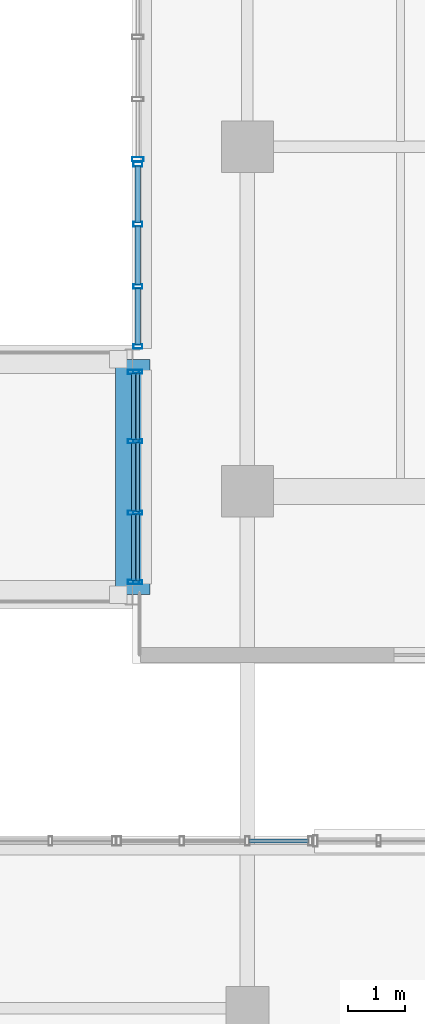
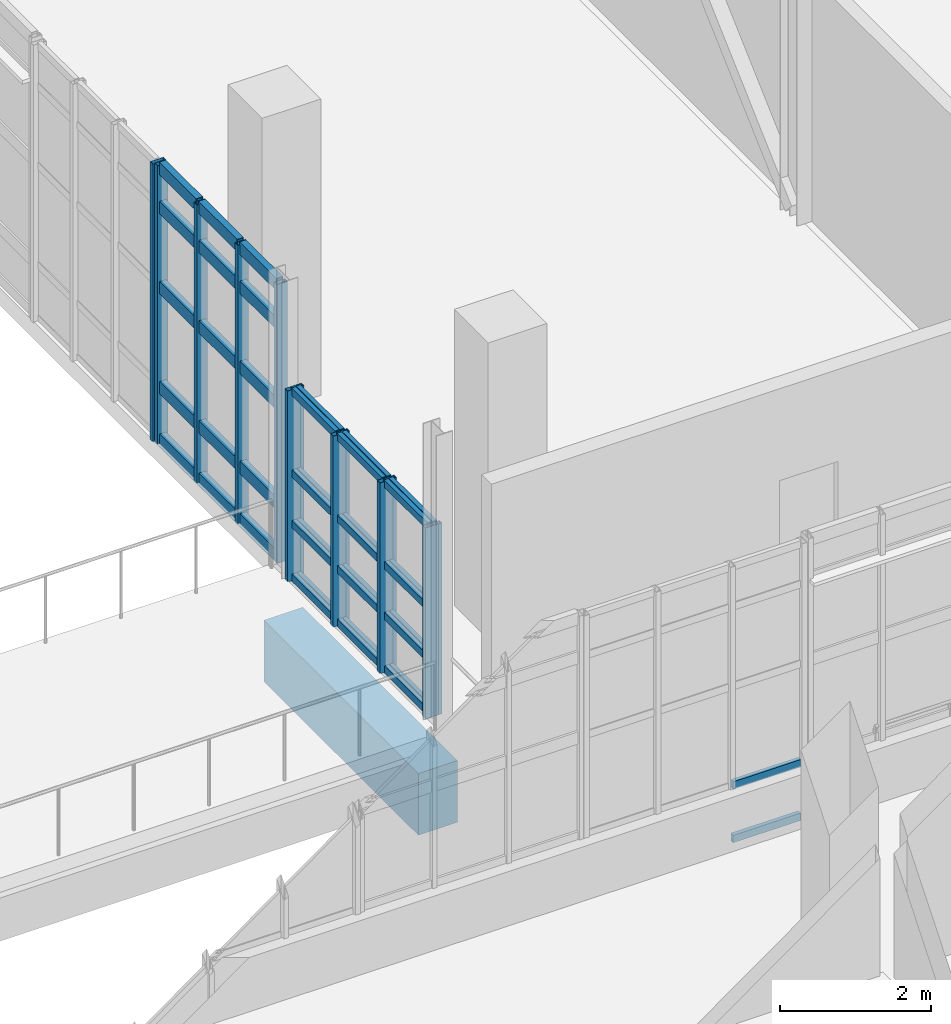
# One storey, part 33 of 127: 54 members, 1 beam, 5 elements without a shape of their own.
"""IFC4 building model written with IfcOpenShell, lengths in metres."""

from ifc_helpers import new_model, si_unit, derived_unit, direction, frame, origin, origin_2d, place, context, subcontext, project, spatial, rectangle, hollow_rectangle, extrude, material, layer, layer_set, material_profile, profile_set, type_object, element, aggregate, save


model = new_model("IFC4")

# Units and contexts
model_context = context("Model", 3, precision=1e-05, world=origin(), true_north=direction((0.0, 1.0)))
body_context = subcontext(model_context, "Body", "Model", "MODEL_VIEW")
ifc_project = project(units=[si_unit("LENGTHUNIT", "METRE"), si_unit("AREAUNIT", "SQUARE_METRE"), si_unit("VOLUMEUNIT", "CUBIC_METRE"), si_unit("PLANEANGLEUNIT", "RADIAN"), si_unit("MASSUNIT", "GRAM", prefix="KILO"), derived_unit("THERMALTRANSMITTANCEUNIT", [(si_unit("POWERUNIT", "WATT"), 1), (si_unit("LENGTHUNIT", "METRE"), -2), (si_unit("THERMODYNAMICTEMPERATUREUNIT", "KELVIN"), -1)])], contexts=[model_context])

# Site, building, storey
site_placement = place(None, origin())
site = spatial("IfcSite", under=ifc_project, at=site_placement, CompositionType="ELEMENT")
building_placement = place(site_placement, origin())
building = spatial("IfcBuilding", under=site, at=building_placement, Name="Nallur Shell Playhouse", CompositionType="ELEMENT")
storey_placement = place(building_placement, frame((0.0, 0.0, 5.39990234375)))
storey = spatial("IfcBuildingStorey", under=building, at=storey_placement, Name="L02", CompositionType="ELEMENT", Elevation=5.39990234375)

# Beam
ifc_material_1 = material(Name="Concrete M40", Category="concrete")
ifc_material_profile_1 = material_profile(ifc_material_1, rectangle(XDim=0.60009765625, YDim=1.0, at=origin_2d()), Name="RC 600x1000")
ifc_profile_set_1 = profile_set([ifc_material_profile_1], Name="Concrete M40")
beam_type = type_object("IfcBeamType", Name="BM-RC-600x1000", PredefinedType="BEAM", material=ifc_profile_set_1)
beam_placement = place(storey_placement, frame((54.0, 48.199951171875, -1.2099609375), z_axis=(0.0, 1.0, 0.0), x_axis=(-1.0, 0.0, 0.0)))
element("IfcBeam", 1, at=beam_placement, inside=storey, type_object=beam_type, Name="Courtyard bridge 600mm seismic bearing seat corbel 01", PredefinedType="BEAM", context=body_context, shape_type="SweptSolid", body=[
    extrude(rectangle(XDim=0.60009765625, YDim=1.0, at=origin_2d()), origin(), (0.0, 0.0, 1.0), 4.10009765625),
])

# Curtain wall, members
ifc_material_2 = material(Name="Anodised Aluminium Double-Glazed Facade System", Category="aluminium")
ifc_layer_1 = layer(ifc_material_2, 0.16796875)
ifc_layer_set_1 = layer_set([ifc_layer_1], Name="Anodised Aluminium Double-Glazed Facade System")
curtain_wall_type_1 = type_object("IfcCurtainWallType", Name="CW-UNIT-14", PredefinedType="NOTDEFINED", material=ifc_layer_set_1)
curtain_wall_1_placement = place(storey_placement, origin())
curtain_wall_1 = element("IfcCurtainWall", 2, at=curtain_wall_1_placement, inside=storey, type_object=curtain_wall_type_1, Name="Unitised curtain wall CW-014 (L02)", PredefinedType="NOTDEFINED")
ifc_material_3 = material(Name="Aluminium Alloy 6063-T6 Mullion", Category="aluminium")
ifc_material_profile_2 = material_profile(ifc_material_3, hollow_rectangle(XDim=0.080078125, YDim=0.159912109375, WallThickness=0.006103515625, at=origin_2d()), Name="RHS 160x80x6")
ifc_profile_set_2 = profile_set([ifc_material_profile_2], Name="Aluminium Alloy 6063-T6 Mullion")
member_type_1 = type_object("IfcMemberType", Name="MB-CW-MUL150", PredefinedType="MULLION", material=ifc_profile_set_2)
member_1_placement = place(storey_placement, frame((54.090087890625, 52.52294921875, -0.014892578125), z_axis=(0.0, 0.0, 1.0), x_axis=(0.0, 1.0, 0.0)))
member_1 = element("IfcMember", 3, at=member_1_placement, type_object=member_type_1, Name="CW-14 mullion 1", PredefinedType="MULLION", context=body_context, shape_type="SweptSolid", body=[
    extrude(hollow_rectangle(XDim=0.080078125, YDim=0.159912109375, WallThickness=0.006103515625, at=origin_2d()), origin(), (0.0, 0.0, 1.0), 4.51904296875),
])
member_2_placement = place(storey_placement, frame((54.090087890625, 53.5673828125, -0.014892578125), z_axis=(0.0, 0.0, 1.0), x_axis=(0.0, 1.0, 0.0)))
member_2 = element("IfcMember", 4, at=member_2_placement, type_object=member_type_1, Name="CW-14 mullion 2", PredefinedType="MULLION", context=body_context, shape_type="SweptSolid", body=[
    extrude(hollow_rectangle(XDim=0.080078125, YDim=0.159912109375, WallThickness=0.006103515625, at=origin_2d()), origin(), (0.0, 0.0, 1.0), 4.51904296875),
])
member_3_placement = place(storey_placement, frame((54.090087890625, 54.652099609375, -0.014892578125), z_axis=(0.0, 0.0, 1.0), x_axis=(0.0, 1.0, 0.0)))
member_3 = element("IfcMember", 5, at=member_3_placement, type_object=member_type_1, Name="CW-14 mullion 3", PredefinedType="MULLION", context=body_context, shape_type="SweptSolid", body=[
    extrude(hollow_rectangle(XDim=0.080078125, YDim=0.159912109375, WallThickness=0.006103515625, at=origin_2d()), origin(), (0.0, 0.0, 1.0), 4.51904296875),
])
member_4_placement = place(storey_placement, frame((54.090087890625, 55.696533203125, -0.014892578125), z_axis=(0.0, 0.0, 1.0), x_axis=(0.0, 1.0, 0.0)))
member_4 = element("IfcMember", 6, at=member_4_placement, type_object=member_type_1, Name="CW-14 mullion 4", PredefinedType="MULLION", context=body_context, shape_type="SweptSolid", body=[
    extrude(hollow_rectangle(XDim=0.080078125, YDim=0.159912109375, WallThickness=0.006103515625, at=origin_2d()), origin(), (0.0, 0.0, 1.0), 4.51904296875),
])

ifc_layer_2 = layer(ifc_material_2, 0.1640625)
ifc_layer_set_2 = layer_set([ifc_layer_2], Name="Anodised Aluminium Double-Glazed Facade System")
curtain_wall_type_2 = type_object("IfcCurtainWallType", Name="CW-UNIT-13", PredefinedType="NOTDEFINED", material=ifc_layer_set_2)
curtain_wall_2_placement = place(storey_placement, origin())
curtain_wall_2 = element("IfcCurtainWall", 7, at=curtain_wall_2_placement, inside=storey, type_object=curtain_wall_type_2, Name="Unitised curtain wall CW-013 (L02)", PredefinedType="NOTDEFINED")
ifc_material_profile_3 = material_profile(ifc_material_3, hollow_rectangle(XDim=0.06494140625, YDim=0.159912109375, WallThickness=0.00390625, at=origin_2d()), Name="ALU 65x160x4")
ifc_profile_set_3 = profile_set([ifc_material_profile_3], Name="Aluminium Alloy 6063-T6 Mullion")
member_type_2 = type_object("IfcMemberType", Name="MB-CW-MUL160", PredefinedType="MULLION", material=ifc_profile_set_3)
member_5_placement = place(storey_placement, frame((54.090087890625, 48.41552734375, -0.014892578125), z_axis=(0.0, 0.0, 1.0), x_axis=(0.0, 1.0, 0.0)))
member_5 = element("IfcMember", 8, at=member_5_placement, type_object=member_type_2, Name="CW-13 mullion 1", PredefinedType="MULLION", context=body_context, shape_type="SweptSolid", body=[
    extrude(hollow_rectangle(XDim=0.06494140625, YDim=0.159912109375, WallThickness=0.00390625, at=origin_2d()), origin(), (0.0, 0.0, 1.0), 3.093994140625),
])
member_6_placement = place(storey_placement, frame((54.090087890625, 49.627685546875, -0.014892578125), z_axis=(0.0, 0.0, 1.0), x_axis=(0.0, 1.0, 0.0)))
member_6 = element("IfcMember", 9, at=member_6_placement, type_object=member_type_2, Name="CW-13 mullion 2", PredefinedType="MULLION", context=body_context, shape_type="SweptSolid", body=[
    extrude(hollow_rectangle(XDim=0.06494140625, YDim=0.159912109375, WallThickness=0.00390625, at=origin_2d()), origin(), (0.0, 0.0, 1.0), 3.093994140625),
])
member_7_placement = place(storey_placement, frame((54.090087890625, 50.872314453125, -0.014892578125), z_axis=(0.0, 0.0, 1.0), x_axis=(0.0, 1.0, 0.0)))
member_7 = element("IfcMember", 10, at=member_7_placement, type_object=member_type_2, Name="CW-13 mullion 3", PredefinedType="MULLION", context=body_context, shape_type="SweptSolid", body=[
    extrude(hollow_rectangle(XDim=0.06494140625, YDim=0.159912109375, WallThickness=0.00390625, at=origin_2d()), origin(), (0.0, 0.0, 1.0), 3.093994140625),
])
member_8_placement = place(storey_placement, frame((54.090087890625, 52.08447265625, -0.014892578125), z_axis=(0.0, 0.0, 1.0), x_axis=(0.0, 1.0, 0.0)))
member_8 = element("IfcMember", 11, at=member_8_placement, type_object=member_type_2, Name="CW-13 mullion 4", PredefinedType="MULLION", context=body_context, shape_type="SweptSolid", body=[
    extrude(hollow_rectangle(XDim=0.06494140625, YDim=0.159912109375, WallThickness=0.00390625, at=origin_2d()), origin(), (0.0, 0.0, 1.0), 3.093994140625),
])

# Curtain wall, member
ifc_layer_3 = layer(ifc_material_2, 0.172119140625)
ifc_layer_set_3 = layer_set([ifc_layer_3], Name="Anodised Aluminium Double-Glazed Facade System")
curtain_wall_type_3 = type_object("IfcCurtainWallType", Name="CW-UNIT-15", PredefinedType="NOTDEFINED", material=ifc_layer_set_3)
curtain_wall_3_placement = place(storey_placement, origin())
curtain_wall_3 = element("IfcCurtainWall", 12, at=curtain_wall_3_placement, inside=storey, type_object=curtain_wall_type_3, Name="Unitised curtain wall CW-015 (L02)", PredefinedType="NOTDEFINED")
ifc_material_profile_4 = material_profile(ifc_material_3, hollow_rectangle(XDim=0.074951171875, YDim=0.199951171875, WallThickness=0.0048828125, at=origin_2d()), Name="ALU 75x200x5")
ifc_profile_set_4 = profile_set([ifc_material_profile_4], Name="Aluminium Alloy 6063-T6 Mullion")
member_type_3 = type_object("IfcMemberType", Name="MB-CW-MUL180", PredefinedType="MULLION", material=ifc_profile_set_4)
member_9_placement = place(storey_placement, frame((54.090087890625, 55.783935546875, -0.014892578125), z_axis=(0.0, 0.0, 1.0), x_axis=(0.0, 1.0, 0.0)))
member_9 = element("IfcMember", 13, at=member_9_placement, type_object=member_type_3, Name="CW-15 mullion 1", PredefinedType="MULLION", context=body_context, shape_type="SweptSolid", body=[
    extrude(hollow_rectangle(XDim=0.074951171875, YDim=0.199951171875, WallThickness=0.0048828125, at=origin_2d()), origin(), (0.0, 0.0, 1.0), 4.4990234375),
])
aggregate(curtain_wall_3, [member_9])

# Curtain wall, members
ifc_layer_4 = layer(ifc_material_2, 0.1640625)
ifc_layer_set_4 = layer_set([ifc_layer_4], Name="Anodised Aluminium Double-Glazed Facade System")
curtain_wall_type_4 = type_object("IfcCurtainWallType", Name="CW-UNIT-25", PredefinedType="NOTDEFINED", material=ifc_layer_set_4)
curtain_wall_4_placement = place(storey_placement, origin())
curtain_wall_4 = element("IfcCurtainWall", 14, at=curtain_wall_4_placement, inside=storey, type_object=curtain_wall_type_4, Name="Unitised curtain wall CW-057 (L02)", PredefinedType="NOTDEFINED")
member_10_placement = place(storey_placement, frame((54.014892578125, 52.07958984375, -0.014892578125), z_axis=(0.0, 0.0, 1.0), x_axis=(0.0, -1.0, 0.0)))
member_10 = element("IfcMember", 15, at=member_10_placement, type_object=member_type_3, Name="CW-25 mullion 1", PredefinedType="MULLION", context=body_context, shape_type="SweptSolid", body=[
    extrude(hollow_rectangle(XDim=0.074951171875, YDim=0.199951171875, WallThickness=0.0048828125, at=origin_2d()), origin(), (0.0, 0.0, 1.0), 3.093994140625),
])
member_11_placement = place(storey_placement, frame((54.014892578125, 50.872314453125, -0.014892578125), z_axis=(0.0, 0.0, 1.0), x_axis=(0.0, -1.0, 0.0)))
member_11 = element("IfcMember", 16, at=member_11_placement, type_object=member_type_3, Name="CW-25 mullion 2", PredefinedType="MULLION", context=body_context, shape_type="SweptSolid", body=[
    extrude(hollow_rectangle(XDim=0.074951171875, YDim=0.199951171875, WallThickness=0.0048828125, at=origin_2d()), origin(), (0.0, 0.0, 1.0), 3.093994140625),
])
member_12_placement = place(storey_placement, frame((54.014892578125, 49.627685546875, -0.014892578125), z_axis=(0.0, 0.0, 1.0), x_axis=(0.0, -1.0, 0.0)))
member_12 = element("IfcMember", 17, at=member_12_placement, type_object=member_type_3, Name="CW-25 mullion 3", PredefinedType="MULLION", context=body_context, shape_type="SweptSolid", body=[
    extrude(hollow_rectangle(XDim=0.074951171875, YDim=0.199951171875, WallThickness=0.0048828125, at=origin_2d()), origin(), (0.0, 0.0, 1.0), 3.093994140625),
])
member_13_placement = place(storey_placement, frame((54.014892578125, 48.42041015625, -0.014892578125), z_axis=(0.0, 0.0, 1.0), x_axis=(0.0, -1.0, 0.0)))
member_13 = element("IfcMember", 18, at=member_13_placement, type_object=member_type_3, Name="CW-25 mullion 4", PredefinedType="MULLION", context=body_context, shape_type="SweptSolid", body=[
    extrude(hollow_rectangle(XDim=0.074951171875, YDim=0.199951171875, WallThickness=0.0048828125, at=origin_2d()), origin(), (0.0, 0.0, 1.0), 3.093994140625),
])

ifc_layer_5 = layer(ifc_material_2, 0.179931640625)
ifc_layer_set_5 = layer_set([ifc_layer_5], Name="Anodised Aluminium Double-Glazed Facade System")
curtain_wall_type_5 = type_object("IfcCurtainWallType", Name="CW-UNIT-11", PredefinedType="NOTDEFINED", material=ifc_layer_set_5)
curtain_wall_5_placement = place(storey_placement, origin())
curtain_wall_5 = element("IfcCurtainWall", 19, at=curtain_wall_5_placement, inside=storey, type_object=curtain_wall_type_5, Name="Unitised curtain wall CW-011 (L02)", PredefinedType="NOTDEFINED")
ifc_material_4 = material(Name="Aluminium Alloy 6063-T6 Transom", Category="aluminium")
ifc_material_profile_5 = material_profile(ifc_material_4, hollow_rectangle(XDim=0.06494140625, YDim=0.1201171875, WallThickness=0.00390625, at=origin_2d()), Name="ALU 65x120x4")
ifc_profile_set_5 = profile_set([ifc_material_profile_5], Name="Aluminium Alloy 6063-T6 Transom")
member_type_4 = type_object("IfcMemberType", Name="MB-CW-TRN120", PredefinedType="USERDEFINED", material=ifc_profile_set_5)
member_14_placement = place(storey_placement, frame((56.0302734375, 43.909912109375, 0.03271484375), z_axis=(1.0, 0.0, 0.0), x_axis=(0.0, 1.0, 0.0)))
member_14 = element("IfcMember", 20, at=member_14_placement, type_object=member_type_4, Name="CW-11 transom 3.1", ObjectType="TRANSOM", PredefinedType="USERDEFINED", context=body_context, shape_type="SweptSolid", body=[
    extrude(hollow_rectangle(XDim=0.06494140625, YDim=0.1201171875, WallThickness=0.00390625, at=origin_2d()), origin(), (0.0, 0.0, 1.0), 1.03564453125),
])
member_15_placement = place(storey_placement, frame((56.0302734375, 43.909912109375, 0.900146484375), z_axis=(1.0, 0.0, 0.0), x_axis=(0.0, 1.0, 0.0)))
member_15 = element("IfcMember", 21, at=member_15_placement, type_object=member_type_4, Name="CW-11 transom 3.2", ObjectType="TRANSOM", PredefinedType="USERDEFINED", context=body_context, shape_type="SweptSolid", body=[
    extrude(hollow_rectangle(XDim=0.06494140625, YDim=0.1201171875, WallThickness=0.00390625, at=origin_2d()), origin(), (0.0, 0.0, 1.0), 1.03564453125),
])
aggregate(curtain_wall_5, [member_14, member_15])

# Member
member_16_placement = place(storey_placement, frame((54.090087890625, 48.43994140625, 0.03271484375), z_axis=(0.0, 1.0, 0.0), x_axis=(-1.0, 0.0, 0.0)))
member_16 = element("IfcMember", 22, at=member_16_placement, type_object=member_type_4, Name="CW-13 transom 1.1", ObjectType="TRANSOM", PredefinedType="USERDEFINED", context=body_context, shape_type="SweptSolid", body=[
    extrude(hollow_rectangle(XDim=0.06494140625, YDim=0.1201171875, WallThickness=0.00390625, at=origin_2d()), origin(), (0.0, 0.0, 1.0), 1.163330078125),
])

member_17_placement = place(storey_placement, frame((54.090087890625, 48.43994140625, 0.900146484375), z_axis=(0.0, 1.0, 0.0), x_axis=(-1.0, 0.0, 0.0)))
member_17 = element("IfcMember", 23, at=member_17_placement, type_object=member_type_4, Name="CW-13 transom 1.2", ObjectType="TRANSOM", PredefinedType="USERDEFINED", context=body_context, shape_type="SweptSolid", body=[
    extrude(hollow_rectangle(XDim=0.06494140625, YDim=0.1201171875, WallThickness=0.00390625, at=origin_2d()), origin(), (0.0, 0.0, 1.0), 1.163330078125),
])

member_18_placement = place(storey_placement, frame((54.090087890625, 48.43994140625, 1.72216796875), z_axis=(0.0, 1.0, 0.0), x_axis=(-1.0, 0.0, 0.0)))
member_18 = element("IfcMember", 24, at=member_18_placement, type_object=member_type_4, Name="CW-13 transom 1.3", ObjectType="TRANSOM", PredefinedType="USERDEFINED", context=body_context, shape_type="SweptSolid", body=[
    extrude(hollow_rectangle(XDim=0.06494140625, YDim=0.1201171875, WallThickness=0.00390625, at=origin_2d()), origin(), (0.0, 0.0, 1.0), 1.163330078125),
])

member_19_placement = place(storey_placement, frame((54.090087890625, 48.43994140625, 3.04248046875), z_axis=(0.0, 1.0, 0.0), x_axis=(-1.0, 0.0, 0.0)))
member_19 = element("IfcMember", 25, at=member_19_placement, type_object=member_type_4, Name="CW-13 transom 1.4", ObjectType="TRANSOM", PredefinedType="USERDEFINED", context=body_context, shape_type="SweptSolid", body=[
    extrude(hollow_rectangle(XDim=0.06494140625, YDim=0.1201171875, WallThickness=0.00390625, at=origin_2d()), origin(), (0.0, 0.0, 1.0), 1.163330078125),
])

member_20_placement = place(storey_placement, frame((54.090087890625, 49.652099609375, 0.03271484375), z_axis=(0.0, 1.0, 0.0), x_axis=(-1.0, 0.0, 0.0)))
member_20 = element("IfcMember", 26, at=member_20_placement, type_object=member_type_4, Name="CW-13 transom 2.1", ObjectType="TRANSOM", PredefinedType="USERDEFINED", context=body_context, shape_type="SweptSolid", body=[
    extrude(hollow_rectangle(XDim=0.06494140625, YDim=0.1201171875, WallThickness=0.00390625, at=origin_2d()), origin(), (0.0, 0.0, 1.0), 1.19580078125),
])

member_21_placement = place(storey_placement, frame((54.090087890625, 49.652099609375, 0.900146484375), z_axis=(0.0, 1.0, 0.0), x_axis=(-1.0, 0.0, 0.0)))
member_21 = element("IfcMember", 27, at=member_21_placement, type_object=member_type_4, Name="CW-13 transom 2.2", ObjectType="TRANSOM", PredefinedType="USERDEFINED", context=body_context, shape_type="SweptSolid", body=[
    extrude(hollow_rectangle(XDim=0.06494140625, YDim=0.1201171875, WallThickness=0.00390625, at=origin_2d()), origin(), (0.0, 0.0, 1.0), 1.19580078125),
])

member_22_placement = place(storey_placement, frame((54.090087890625, 49.652099609375, 1.72216796875), z_axis=(0.0, 1.0, 0.0), x_axis=(-1.0, 0.0, 0.0)))
member_22 = element("IfcMember", 28, at=member_22_placement, type_object=member_type_4, Name="CW-13 transom 2.3", ObjectType="TRANSOM", PredefinedType="USERDEFINED", context=body_context, shape_type="SweptSolid", body=[
    extrude(hollow_rectangle(XDim=0.06494140625, YDim=0.1201171875, WallThickness=0.00390625, at=origin_2d()), origin(), (0.0, 0.0, 1.0), 1.19580078125),
])

member_23_placement = place(storey_placement, frame((54.090087890625, 49.652099609375, 3.04248046875), z_axis=(0.0, 1.0, 0.0), x_axis=(-1.0, 0.0, 0.0)))
member_23 = element("IfcMember", 29, at=member_23_placement, type_object=member_type_4, Name="CW-13 transom 2.4", ObjectType="TRANSOM", PredefinedType="USERDEFINED", context=body_context, shape_type="SweptSolid", body=[
    extrude(hollow_rectangle(XDim=0.06494140625, YDim=0.1201171875, WallThickness=0.00390625, at=origin_2d()), origin(), (0.0, 0.0, 1.0), 1.19580078125),
])

member_24_placement = place(storey_placement, frame((54.090087890625, 50.896728515625, 0.03271484375), z_axis=(0.0, 1.0, 0.0), x_axis=(-1.0, 0.0, 0.0)))
member_24 = element("IfcMember", 30, at=member_24_placement, type_object=member_type_4, Name="CW-13 transom 3.1", ObjectType="TRANSOM", PredefinedType="USERDEFINED", context=body_context, shape_type="SweptSolid", body=[
    extrude(hollow_rectangle(XDim=0.06494140625, YDim=0.1201171875, WallThickness=0.00390625, at=origin_2d()), origin(), (0.0, 0.0, 1.0), 1.163330078125),
])

member_25_placement = place(storey_placement, frame((54.090087890625, 50.896728515625, 0.900146484375), z_axis=(0.0, 1.0, 0.0), x_axis=(-1.0, 0.0, 0.0)))
member_25 = element("IfcMember", 31, at=member_25_placement, type_object=member_type_4, Name="CW-13 transom 3.2", ObjectType="TRANSOM", PredefinedType="USERDEFINED", context=body_context, shape_type="SweptSolid", body=[
    extrude(hollow_rectangle(XDim=0.06494140625, YDim=0.1201171875, WallThickness=0.00390625, at=origin_2d()), origin(), (0.0, 0.0, 1.0), 1.163330078125),
])

member_26_placement = place(storey_placement, frame((54.090087890625, 50.896728515625, 1.72216796875), z_axis=(0.0, 1.0, 0.0), x_axis=(-1.0, 0.0, 0.0)))
member_26 = element("IfcMember", 32, at=member_26_placement, type_object=member_type_4, Name="CW-13 transom 3.3", ObjectType="TRANSOM", PredefinedType="USERDEFINED", context=body_context, shape_type="SweptSolid", body=[
    extrude(hollow_rectangle(XDim=0.06494140625, YDim=0.1201171875, WallThickness=0.00390625, at=origin_2d()), origin(), (0.0, 0.0, 1.0), 1.163330078125),
])

member_27_placement = place(storey_placement, frame((54.090087890625, 50.896728515625, 3.04248046875), z_axis=(0.0, 1.0, 0.0), x_axis=(-1.0, 0.0, 0.0)))
member_27 = element("IfcMember", 33, at=member_27_placement, type_object=member_type_4, Name="CW-13 transom 3.4", ObjectType="TRANSOM", PredefinedType="USERDEFINED", context=body_context, shape_type="SweptSolid", body=[
    extrude(hollow_rectangle(XDim=0.06494140625, YDim=0.1201171875, WallThickness=0.00390625, at=origin_2d()), origin(), (0.0, 0.0, 1.0), 1.163330078125),
])

aggregate(curtain_wall_2, [member_5, member_6, member_7, member_8, member_16, member_17, member_18, member_19, member_20, member_21, member_22, member_23, member_24, member_25, member_26, member_27])

member_28_placement = place(storey_placement, frame((54.014892578125, 52.050048828125, 0.03271484375), z_axis=(0.0, -1.0, 0.0), x_axis=(1.0, 0.0, 0.0)))
member_28 = element("IfcMember", 34, at=member_28_placement, type_object=member_type_4, Name="CW-25 transom 1.1", ObjectType="TRANSOM", PredefinedType="USERDEFINED", context=body_context, shape_type="SweptSolid", body=[
    extrude(hollow_rectangle(XDim=0.06494140625, YDim=0.1201171875, WallThickness=0.00390625, at=origin_2d()), origin(), (0.0, 0.0, 1.0), 1.148193359375),
])

member_29_placement = place(storey_placement, frame((54.014892578125, 52.050048828125, 0.900146484375), z_axis=(0.0, -1.0, 0.0), x_axis=(1.0, 0.0, 0.0)))
member_29 = element("IfcMember", 35, at=member_29_placement, type_object=member_type_4, Name="CW-25 transom 1.2", ObjectType="TRANSOM", PredefinedType="USERDEFINED", context=body_context, shape_type="SweptSolid", body=[
    extrude(hollow_rectangle(XDim=0.06494140625, YDim=0.1201171875, WallThickness=0.00390625, at=origin_2d()), origin(), (0.0, 0.0, 1.0), 1.148193359375),
])

member_30_placement = place(storey_placement, frame((54.014892578125, 52.050048828125, 1.72216796875), z_axis=(0.0, -1.0, 0.0), x_axis=(1.0, 0.0, 0.0)))
member_30 = element("IfcMember", 36, at=member_30_placement, type_object=member_type_4, Name="CW-25 transom 1.3", ObjectType="TRANSOM", PredefinedType="USERDEFINED", context=body_context, shape_type="SweptSolid", body=[
    extrude(hollow_rectangle(XDim=0.06494140625, YDim=0.1201171875, WallThickness=0.00390625, at=origin_2d()), origin(), (0.0, 0.0, 1.0), 1.148193359375),
])

member_31_placement = place(storey_placement, frame((54.014892578125, 52.050048828125, 3.04248046875), z_axis=(0.0, -1.0, 0.0), x_axis=(1.0, 0.0, 0.0)))
member_31 = element("IfcMember", 37, at=member_31_placement, type_object=member_type_4, Name="CW-25 transom 1.4", ObjectType="TRANSOM", PredefinedType="USERDEFINED", context=body_context, shape_type="SweptSolid", body=[
    extrude(hollow_rectangle(XDim=0.06494140625, YDim=0.1201171875, WallThickness=0.00390625, at=origin_2d()), origin(), (0.0, 0.0, 1.0), 1.148193359375),
])

member_32_placement = place(storey_placement, frame((54.014892578125, 50.8427734375, 0.03271484375), z_axis=(0.0, -1.0, 0.0), x_axis=(1.0, 0.0, 0.0)))
member_32 = element("IfcMember", 38, at=member_32_placement, type_object=member_type_4, Name="CW-25 transom 2.1", ObjectType="TRANSOM", PredefinedType="USERDEFINED", context=body_context, shape_type="SweptSolid", body=[
    extrude(hollow_rectangle(XDim=0.06494140625, YDim=0.1201171875, WallThickness=0.00390625, at=origin_2d()), origin(), (0.0, 0.0, 1.0), 1.185546875),
])

member_33_placement = place(storey_placement, frame((54.014892578125, 50.8427734375, 0.900146484375), z_axis=(0.0, -1.0, 0.0), x_axis=(1.0, 0.0, 0.0)))
member_33 = element("IfcMember", 39, at=member_33_placement, type_object=member_type_4, Name="CW-25 transom 2.2", ObjectType="TRANSOM", PredefinedType="USERDEFINED", context=body_context, shape_type="SweptSolid", body=[
    extrude(hollow_rectangle(XDim=0.06494140625, YDim=0.1201171875, WallThickness=0.00390625, at=origin_2d()), origin(), (0.0, 0.0, 1.0), 1.185546875),
])

member_34_placement = place(storey_placement, frame((54.014892578125, 50.8427734375, 1.72216796875), z_axis=(0.0, -1.0, 0.0), x_axis=(1.0, 0.0, 0.0)))
member_34 = element("IfcMember", 40, at=member_34_placement, type_object=member_type_4, Name="CW-25 transom 2.3", ObjectType="TRANSOM", PredefinedType="USERDEFINED", context=body_context, shape_type="SweptSolid", body=[
    extrude(hollow_rectangle(XDim=0.06494140625, YDim=0.1201171875, WallThickness=0.00390625, at=origin_2d()), origin(), (0.0, 0.0, 1.0), 1.185546875),
])

member_35_placement = place(storey_placement, frame((54.014892578125, 50.8427734375, 3.04248046875), z_axis=(0.0, -1.0, 0.0), x_axis=(1.0, 0.0, 0.0)))
member_35 = element("IfcMember", 41, at=member_35_placement, type_object=member_type_4, Name="CW-25 transom 2.4", ObjectType="TRANSOM", PredefinedType="USERDEFINED", context=body_context, shape_type="SweptSolid", body=[
    extrude(hollow_rectangle(XDim=0.06494140625, YDim=0.1201171875, WallThickness=0.00390625, at=origin_2d()), origin(), (0.0, 0.0, 1.0), 1.185546875),
])

member_36_placement = place(storey_placement, frame((54.014892578125, 49.59814453125, 0.03271484375), z_axis=(0.0, -1.0, 0.0), x_axis=(1.0, 0.0, 0.0)))
member_36 = element("IfcMember", 42, at=member_36_placement, type_object=member_type_4, Name="CW-25 transom 3.1", ObjectType="TRANSOM", PredefinedType="USERDEFINED", context=body_context, shape_type="SweptSolid", body=[
    extrude(hollow_rectangle(XDim=0.06494140625, YDim=0.1201171875, WallThickness=0.00390625, at=origin_2d()), origin(), (0.0, 0.0, 1.0), 1.148193359375),
])

member_37_placement = place(storey_placement, frame((54.014892578125, 49.59814453125, 0.900146484375), z_axis=(0.0, -1.0, 0.0), x_axis=(1.0, 0.0, 0.0)))
member_37 = element("IfcMember", 43, at=member_37_placement, type_object=member_type_4, Name="CW-25 transom 3.2", ObjectType="TRANSOM", PredefinedType="USERDEFINED", context=body_context, shape_type="SweptSolid", body=[
    extrude(hollow_rectangle(XDim=0.06494140625, YDim=0.1201171875, WallThickness=0.00390625, at=origin_2d()), origin(), (0.0, 0.0, 1.0), 1.148193359375),
])

member_38_placement = place(storey_placement, frame((54.014892578125, 49.59814453125, 1.72216796875), z_axis=(0.0, -1.0, 0.0), x_axis=(1.0, 0.0, 0.0)))
member_38 = element("IfcMember", 44, at=member_38_placement, type_object=member_type_4, Name="CW-25 transom 3.3", ObjectType="TRANSOM", PredefinedType="USERDEFINED", context=body_context, shape_type="SweptSolid", body=[
    extrude(hollow_rectangle(XDim=0.06494140625, YDim=0.1201171875, WallThickness=0.00390625, at=origin_2d()), origin(), (0.0, 0.0, 1.0), 1.148193359375),
])

member_39_placement = place(storey_placement, frame((54.014892578125, 49.59814453125, 3.04248046875), z_axis=(0.0, -1.0, 0.0), x_axis=(1.0, 0.0, 0.0)))
member_39 = element("IfcMember", 45, at=member_39_placement, type_object=member_type_4, Name="CW-25 transom 3.4", ObjectType="TRANSOM", PredefinedType="USERDEFINED", context=body_context, shape_type="SweptSolid", body=[
    extrude(hollow_rectangle(XDim=0.06494140625, YDim=0.1201171875, WallThickness=0.00390625, at=origin_2d()), origin(), (0.0, 0.0, 1.0), 1.148193359375),
])

aggregate(curtain_wall_4, [member_10, member_11, member_12, member_13, member_28, member_29, member_30, member_31, member_32, member_33, member_34, member_35, member_36, member_37, member_38, member_39])

ifc_material_profile_6 = material_profile(ifc_material_4, hollow_rectangle(XDim=0.10009765625, YDim=0.199951171875, WallThickness=0.008056640625, at=origin_2d()), Name="RHS 200x100x8")
ifc_profile_set_6 = profile_set([ifc_material_profile_6], Name="Aluminium Alloy 6063-T6 Transom")
member_type_5 = type_object("IfcMemberType", Name="MB-CW-TRN140", PredefinedType="USERDEFINED", material=ifc_profile_set_6)
member_40_placement = place(storey_placement, frame((54.090087890625, 52.554931640625, 0.050048828125), z_axis=(0.0, 1.0, 0.0), x_axis=(-1.0, 0.0, 0.0)))
member_40 = element("IfcMember", 46, at=member_40_placement, type_object=member_type_5, Name="CW-14 transom 1.1", ObjectType="TRANSOM", PredefinedType="USERDEFINED", context=body_context, shape_type="SweptSolid", body=[
    extrude(hollow_rectangle(XDim=0.10009765625, YDim=0.199951171875, WallThickness=0.008056640625, at=origin_2d()), origin(), (0.0, 0.0, 1.0), 0.98046875),
])

member_41_placement = place(storey_placement, frame((54.090087890625, 52.554931640625, 0.900146484375), z_axis=(0.0, 1.0, 0.0), x_axis=(-1.0, 0.0, 0.0)))
member_41 = element("IfcMember", 47, at=member_41_placement, type_object=member_type_5, Name="CW-14 transom 1.2", ObjectType="TRANSOM", PredefinedType="USERDEFINED", context=body_context, shape_type="SweptSolid", body=[
    extrude(hollow_rectangle(XDim=0.10009765625, YDim=0.199951171875, WallThickness=0.008056640625, at=origin_2d()), origin(), (0.0, 0.0, 1.0), 0.98046875),
])

member_42_placement = place(storey_placement, frame((54.090087890625, 52.554931640625, 2.52001953125), z_axis=(0.0, 1.0, 0.0), x_axis=(-1.0, 0.0, 0.0)))
member_42 = element("IfcMember", 48, at=member_42_placement, type_object=member_type_5, Name="CW-14 transom 1.3", ObjectType="TRANSOM", PredefinedType="USERDEFINED", context=body_context, shape_type="SweptSolid", body=[
    extrude(hollow_rectangle(XDim=0.10009765625, YDim=0.199951171875, WallThickness=0.008056640625, at=origin_2d()), origin(), (0.0, 0.0, 1.0), 0.98046875),
])

member_43_placement = place(storey_placement, frame((54.090087890625, 52.554931640625, 3.820068359375), z_axis=(0.0, 1.0, 0.0), x_axis=(-1.0, 0.0, 0.0)))
member_43 = element("IfcMember", 49, at=member_43_placement, type_object=member_type_5, Name="CW-14 transom 1.4", ObjectType="TRANSOM", PredefinedType="USERDEFINED", context=body_context, shape_type="SweptSolid", body=[
    extrude(hollow_rectangle(XDim=0.10009765625, YDim=0.199951171875, WallThickness=0.008056640625, at=origin_2d()), origin(), (0.0, 0.0, 1.0), 0.98046875),
])

member_44_placement = place(storey_placement, frame((54.090087890625, 52.554931640625, 4.4501953125), z_axis=(0.0, 1.0, 0.0), x_axis=(-1.0, 0.0, 0.0)))
member_44 = element("IfcMember", 50, at=member_44_placement, type_object=member_type_5, Name="CW-14 transom 1.5", ObjectType="TRANSOM", PredefinedType="USERDEFINED", context=body_context, shape_type="SweptSolid", body=[
    extrude(hollow_rectangle(XDim=0.10009765625, YDim=0.199951171875, WallThickness=0.008056640625, at=origin_2d()), origin(), (0.0, 0.0, 1.0), 0.98046875),
])

member_45_placement = place(storey_placement, frame((54.090087890625, 53.599609375, 0.050048828125), z_axis=(0.0, 1.0, 0.0), x_axis=(-1.0, 0.0, 0.0)))
member_45 = element("IfcMember", 51, at=member_45_placement, type_object=member_type_5, Name="CW-14 transom 2.1", ObjectType="TRANSOM", PredefinedType="USERDEFINED", context=body_context, shape_type="SweptSolid", body=[
    extrude(hollow_rectangle(XDim=0.10009765625, YDim=0.199951171875, WallThickness=0.008056640625, at=origin_2d()), origin(), (0.0, 0.0, 1.0), 1.0205078125),
])

member_46_placement = place(storey_placement, frame((54.090087890625, 53.599609375, 0.900146484375), z_axis=(0.0, 1.0, 0.0), x_axis=(-1.0, 0.0, 0.0)))
member_46 = element("IfcMember", 52, at=member_46_placement, type_object=member_type_5, Name="CW-14 transom 2.2", ObjectType="TRANSOM", PredefinedType="USERDEFINED", context=body_context, shape_type="SweptSolid", body=[
    extrude(hollow_rectangle(XDim=0.10009765625, YDim=0.199951171875, WallThickness=0.008056640625, at=origin_2d()), origin(), (0.0, 0.0, 1.0), 1.0205078125),
])

member_47_placement = place(storey_placement, frame((54.090087890625, 53.599609375, 2.52001953125), z_axis=(0.0, 1.0, 0.0), x_axis=(-1.0, 0.0, 0.0)))
member_47 = element("IfcMember", 53, at=member_47_placement, type_object=member_type_5, Name="CW-14 transom 2.3", ObjectType="TRANSOM", PredefinedType="USERDEFINED", context=body_context, shape_type="SweptSolid", body=[
    extrude(hollow_rectangle(XDim=0.10009765625, YDim=0.199951171875, WallThickness=0.008056640625, at=origin_2d()), origin(), (0.0, 0.0, 1.0), 1.0205078125),
])

member_48_placement = place(storey_placement, frame((54.090087890625, 53.599609375, 3.820068359375), z_axis=(0.0, 1.0, 0.0), x_axis=(-1.0, 0.0, 0.0)))
member_48 = element("IfcMember", 54, at=member_48_placement, type_object=member_type_5, Name="CW-14 transom 2.4", ObjectType="TRANSOM", PredefinedType="USERDEFINED", context=body_context, shape_type="SweptSolid", body=[
    extrude(hollow_rectangle(XDim=0.10009765625, YDim=0.199951171875, WallThickness=0.008056640625, at=origin_2d()), origin(), (0.0, 0.0, 1.0), 1.0205078125),
])

member_49_placement = place(storey_placement, frame((54.090087890625, 53.599609375, 4.4501953125), z_axis=(0.0, 1.0, 0.0), x_axis=(-1.0, 0.0, 0.0)))
member_49 = element("IfcMember", 55, at=member_49_placement, type_object=member_type_5, Name="CW-14 transom 2.5", ObjectType="TRANSOM", PredefinedType="USERDEFINED", context=body_context, shape_type="SweptSolid", body=[
    extrude(hollow_rectangle(XDim=0.10009765625, YDim=0.199951171875, WallThickness=0.008056640625, at=origin_2d()), origin(), (0.0, 0.0, 1.0), 1.0205078125),
])

member_50_placement = place(storey_placement, frame((54.090087890625, 54.68408203125, 0.050048828125), z_axis=(0.0, 1.0, 0.0), x_axis=(-1.0, 0.0, 0.0)))
member_50 = element("IfcMember", 56, at=member_50_placement, type_object=member_type_5, Name="CW-14 transom 3.1", ObjectType="TRANSOM", PredefinedType="USERDEFINED", context=body_context, shape_type="SweptSolid", body=[
    extrude(hollow_rectangle(XDim=0.10009765625, YDim=0.199951171875, WallThickness=0.008056640625, at=origin_2d()), origin(), (0.0, 0.0, 1.0), 0.98046875),
])

member_51_placement = place(storey_placement, frame((54.090087890625, 54.68408203125, 0.900146484375), z_axis=(0.0, 1.0, 0.0), x_axis=(-1.0, 0.0, 0.0)))
member_51 = element("IfcMember", 57, at=member_51_placement, type_object=member_type_5, Name="CW-14 transom 3.2", ObjectType="TRANSOM", PredefinedType="USERDEFINED", context=body_context, shape_type="SweptSolid", body=[
    extrude(hollow_rectangle(XDim=0.10009765625, YDim=0.199951171875, WallThickness=0.008056640625, at=origin_2d()), origin(), (0.0, 0.0, 1.0), 0.98046875),
])

member_52_placement = place(storey_placement, frame((54.090087890625, 54.68408203125, 2.52001953125), z_axis=(0.0, 1.0, 0.0), x_axis=(-1.0, 0.0, 0.0)))
member_52 = element("IfcMember", 58, at=member_52_placement, type_object=member_type_5, Name="CW-14 transom 3.3", ObjectType="TRANSOM", PredefinedType="USERDEFINED", context=body_context, shape_type="SweptSolid", body=[
    extrude(hollow_rectangle(XDim=0.10009765625, YDim=0.199951171875, WallThickness=0.008056640625, at=origin_2d()), origin(), (0.0, 0.0, 1.0), 0.98046875),
])

member_53_placement = place(storey_placement, frame((54.090087890625, 54.68408203125, 3.820068359375), z_axis=(0.0, 1.0, 0.0), x_axis=(-1.0, 0.0, 0.0)))
member_53 = element("IfcMember", 59, at=member_53_placement, type_object=member_type_5, Name="CW-14 transom 3.4", ObjectType="TRANSOM", PredefinedType="USERDEFINED", context=body_context, shape_type="SweptSolid", body=[
    extrude(hollow_rectangle(XDim=0.10009765625, YDim=0.199951171875, WallThickness=0.008056640625, at=origin_2d()), origin(), (0.0, 0.0, 1.0), 0.98046875),
])

member_54_placement = place(storey_placement, frame((54.090087890625, 54.68408203125, 4.4501953125), z_axis=(0.0, 1.0, 0.0), x_axis=(-1.0, 0.0, 0.0)))
member_54 = element("IfcMember", 60, at=member_54_placement, type_object=member_type_5, Name="CW-14 transom 3.5", ObjectType="TRANSOM", PredefinedType="USERDEFINED", context=body_context, shape_type="SweptSolid", body=[
    extrude(hollow_rectangle(XDim=0.10009765625, YDim=0.199951171875, WallThickness=0.008056640625, at=origin_2d()), origin(), (0.0, 0.0, 1.0), 0.98046875),
])

aggregate(curtain_wall_1, [member_1, member_2, member_3, member_4, member_40, member_41, member_42, member_43, member_44, member_45, member_46, member_47, member_48, member_49, member_50, member_51, member_52, member_53, member_54])

save(model, "model.ifc")
